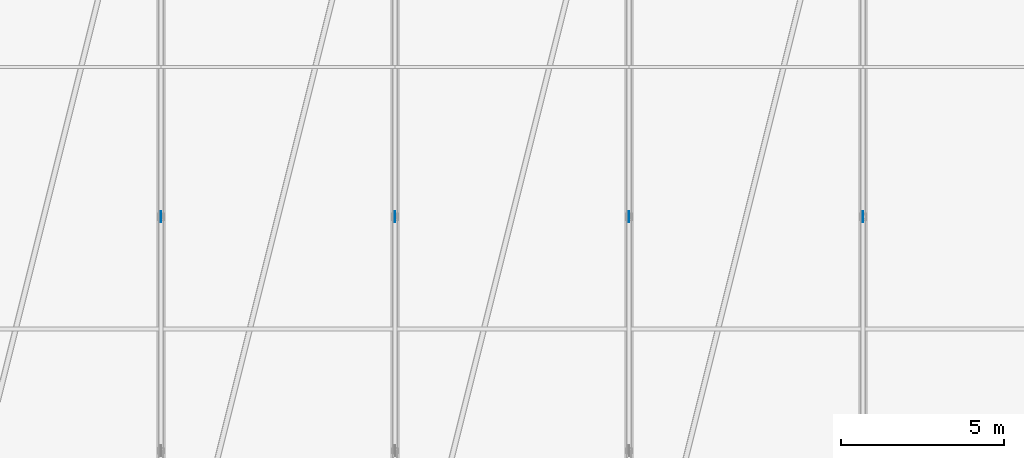
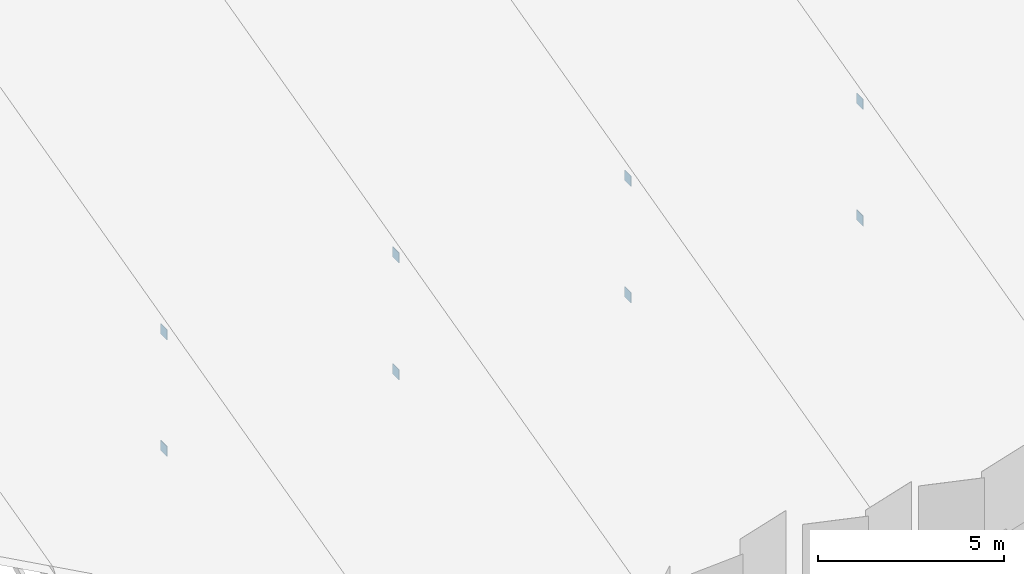
# One storey, part 74 of 108: 8 plates.
"""IFC4 building model written with IfcOpenShell, lengths in metres."""

from ifc_helpers import new_model, si_unit, direction, frame, origin, origin_2d, place, context, subcontext, project, spatial, rectangle, extrude, material, layer, layer_set, type_object, element, save


model = new_model("IFC4")

# Units and contexts
model_context = context("Model", 3, precision=1e-05, world=origin(), true_north=direction((0.0, 1.0)))
body_context = subcontext(model_context, "Body", "Model", "MODEL_VIEW")
ifc_project = project(units=[si_unit("LENGTHUNIT", "METRE"), si_unit("AREAUNIT", "SQUARE_METRE"), si_unit("VOLUMEUNIT", "CUBIC_METRE"), si_unit("PLANEANGLEUNIT", "RADIAN"), si_unit("MASSUNIT", "GRAM", prefix="KILO")], contexts=[model_context])

# Site, building, storey
site_placement = place(None, origin())
site = spatial("IfcSite", under=ifc_project, at=site_placement, CompositionType="ELEMENT")
building_placement = place(site_placement, origin())
building = spatial("IfcBuilding", under=site, at=building_placement, Name="Kangsadwip Square Police Headquarters", CompositionType="ELEMENT")
storey_placement = place(building_placement, frame((0.0, 0.0, 9.449951171875)))
storey = spatial("IfcBuildingStorey", under=building, at=storey_placement, Name="L02", CompositionType="ELEMENT", Elevation=9.449951171875)

# Plates
ifc_material = material(Name="Structural steel IS 2062 E350 (Grade 350, 350 MPa)", Category="steel")
ifc_layer = layer(ifc_material, 0.01611328125)
ifc_layer_set = layer_set([ifc_layer], Name="Structural steel IS 2062 E350 (Grade 350, 350 MPa)")
plate_type = type_object("IfcPlateType", Name="TrussGussetPlate16", PredefinedType="USERDEFINED", material=ifc_layer_set)
for number, where, z_axis, x_axis, name in (
    (1, (64.800048828125, 100.800048828125, -0.72021484375), (0.0, 0.0, 1.0), (0.0, 1.0, 0.0), "Truss Node Gusset Plate GP-L02-0017"),
    (2, (64.800048828125, 100.800048828125, 3.10986328125), (0.0, 0.0, 1.0), (0.0, 1.0, 0.0), "Truss Node Gusset Plate GP-L02-0018"),
    (3, (72.0, 100.800048828125, -0.72021484375), (0.0, 0.0, 1.0), (0.0, 1.0, 0.0), "Truss Node Gusset Plate GP-L02-0024"),
    (4, (72.0, 100.800048828125, 3.10986328125), (0.0, 0.0, 1.0), (0.0, 1.0, 0.0), "Truss Node Gusset Plate GP-L02-0025"),
    (5, (79.199951171875, 100.800048828125, -0.72021484375), (0.0, 0.0, 1.0), (0.0, 1.0, 0.0), "Truss Node Gusset Plate GP-L02-0031"),
    (6, (79.199951171875, 100.800048828125, 3.10986328125), (0.0, 0.0, 1.0), (0.0, 1.0, 0.0), "Truss Node Gusset Plate GP-L02-0032"),
    (7, (86.39990234375, 100.800048828125, -0.72021484375), (0.0, 0.0, 1.0), (0.0, 1.0, 0.0), "Truss Node Gusset Plate GP-L02-0038"),
    (8, (86.39990234375, 100.800048828125, 3.10986328125), (0.0, 0.0, 1.0), (0.0, 1.0, 0.0), "Truss Node Gusset Plate GP-L02-0039"),
):
    element("IfcPlate", number, at=place(storey_placement, frame(where, z_axis=z_axis, x_axis=x_axis)), inside=storey, type_object=plate_type, Name=name, ObjectType="GUSSET_PLATE", PredefinedType="USERDEFINED", context=body_context, shape_type="SweptSolid", body=[
        extrude(rectangle(XDim=0.340087890625, YDim=0.01611328125, at=origin_2d()), origin(), (0.0, 0.0, 1.0), 0.340087890625),
    ])

save(model, "model.ifc")
